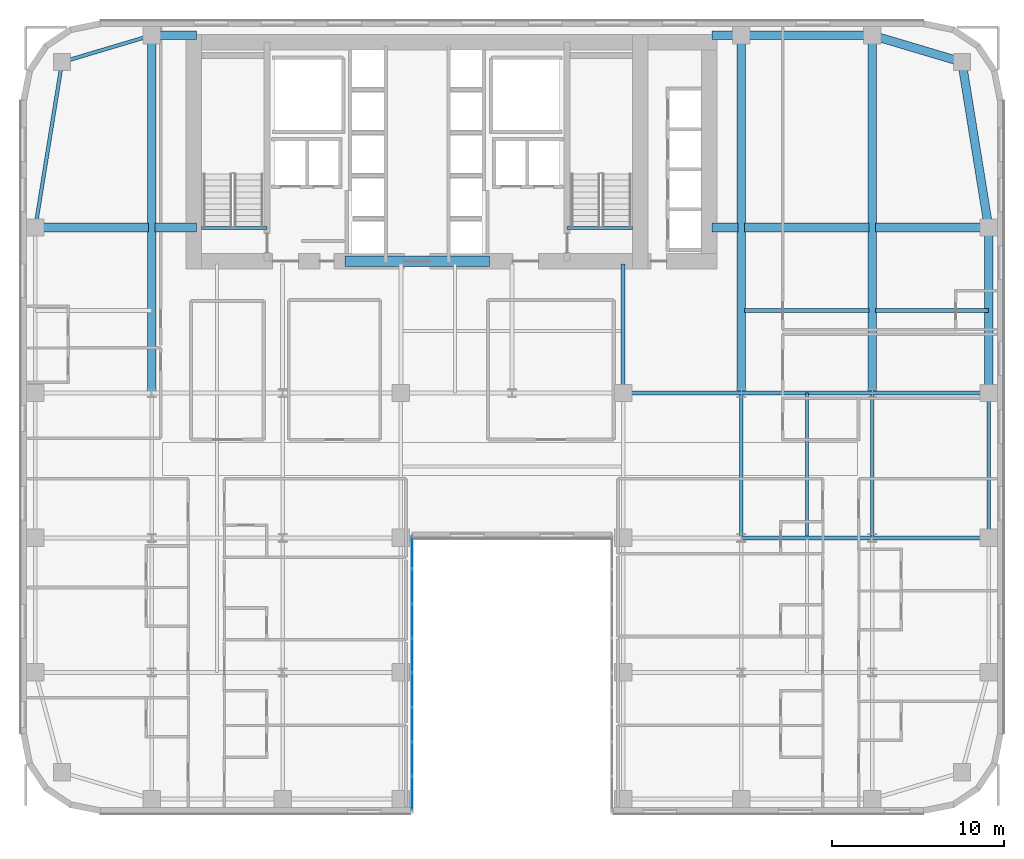
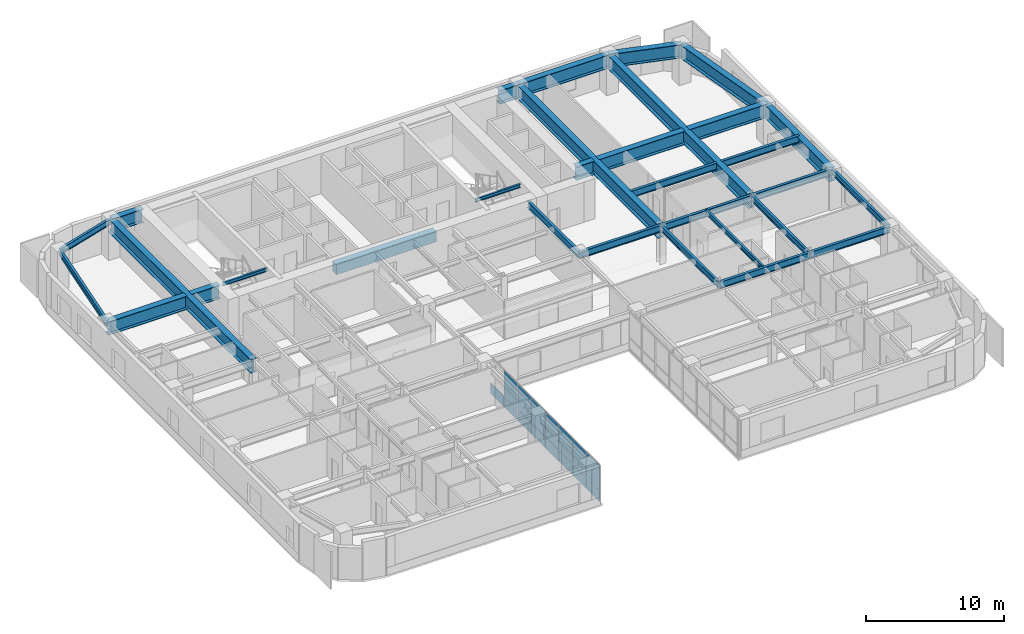
# One storey, part 12 of 25: 31 beams, 15 plates, 1 element without a shape of its own.
"""IFC4 building model written with IfcOpenShell, lengths in metres."""

from ifc_helpers import new_model, si_unit, direction, frame, origin, origin_2d, place, context, subcontext, project, spatial, rectangle, i_section, extrude, source, transform, mapped, material, layer, layer_set, material_profile, profile_set, type_object, type_shapes, element, aggregate, save


model = new_model("IFC4")

# Units and contexts
model_context = context("Model", 3, precision=1e-05, world=origin(), true_north=direction((0.0, 1.0)))
body_context = subcontext(model_context, "Body", "Model", "MODEL_VIEW")
ifc_project = project(units=[si_unit("LENGTHUNIT", "METRE"), si_unit("AREAUNIT", "SQUARE_METRE"), si_unit("VOLUMEUNIT", "CUBIC_METRE"), si_unit("PLANEANGLEUNIT", "RADIAN"), si_unit("MASSUNIT", "GRAM", prefix="KILO")], contexts=[model_context])

# Site, building, storey
site_placement = place(None, origin())
site = spatial("IfcSite", under=ifc_project, at=site_placement, CompositionType="ELEMENT")
building_placement = place(site_placement, origin())
building = spatial("IfcBuilding", under=site, at=building_placement, Name="Tolvann Quenvar Hotel", CompositionType="ELEMENT")
storey_placement = place(building_placement, frame((0.0, 0.0, 46.199951171875)))
storey = spatial("IfcBuildingStorey", under=building, at=storey_placement, Name="L10", CompositionType="ELEMENT", Elevation=46.199951171875)

# Beams
ifc_material_1 = material(Name="Concrete N50 (50 MPa)", Category="concrete")
ifc_material_profile_1 = material_profile(ifc_material_1, rectangle(XDim=0.60009765625, YDim=0.89990234375, at=origin_2d()), Name="RC600x900")
ifc_profile_set_1 = profile_set([ifc_material_profile_1], Name="Concrete N50 (50 MPa)")
beam_type_1 = type_object("IfcBeamType", Name="BM_LINT_RC600x900", PredefinedType="LINTEL", material=ifc_profile_set_1)
shared_shape_1 = source(origin(), body_context, "Body", "SweptSolid", [
    extrude(rectangle(XDim=0.60009765625, YDim=0.89990234375, at=origin_2d()), origin(), (0.0, 0.0, 1.0), 8.39990234375),
])
type_shapes(beam_type_1, [shared_shape_1])
beam_1_placement = place(storey_placement, frame((18.800048828125, 32.050048828125, 2.920166015625), z_axis=(1.0, 0.0, 0.0), x_axis=(0.0, 1.0, 0.0)))
element("IfcBeam", 1, at=beam_1_placement, inside=storey, type_object=beam_type_1, Name="Core Coupling Lintel Beam (L10)", PredefinedType="LINTEL", context=body_context, shape_type="MappedRepresentation", body=[
    mapped(shared_shape_1, transform((0.0, 0.0, 0.0), x_axis=(1.0, 0.0, 0.0), y_axis=(0.0, 1.0, 0.0), z_axis=(0.0, 0.0, 1.0), scale=1.0)),
])
ifc_material_2 = material(Name="Steel Grade 350", Category="steel")
ifc_material_profile_2 = material_profile(ifc_material_2, i_section(OverallWidth=0.5, OverallDepth=1.199951171875, WebThickness=0.01611328125, FlangeThickness=0.0400390625, at=origin_2d()), Name="1200WB455")
ifc_profile_set_2 = profile_set([ifc_material_profile_2], Name="Steel Grade 350")
beam_type_2 = type_object("IfcBeamType", Name="BM_TG_1200WB455", PredefinedType="USERDEFINED", material=ifc_profile_set_2)
shared_shape_2 = source(origin(), body_context, "Body", "SweptSolid", [
    extrude(i_section(OverallWidth=0.5, OverallDepth=1.199951171875, WebThickness=0.01611328125, FlangeThickness=0.0400390625, at=origin_2d()), origin(), (0.0, 0.0, 1.0), 7.599853515625),
])
beam_2_placement = place(storey_placement, frame((49.39990234375, 45.14990234375, 2.77001953125), z_axis=(-1.0, 0.0, 0.0), x_axis=(0.0, -1.0, 0.0)))
element("IfcBeam", 2, at=beam_2_placement, inside=storey, type_object=beam_type_2, Name="BM-L10-FLK-E4", ObjectType="TRANSFER GIRDER", PredefinedType="USERDEFINED", context=body_context, shape_type="MappedRepresentation", body=[
    mapped(shared_shape_2, transform((0.0, 0.0, 0.0), x_axis=(1.0, 0.0, 0.0), y_axis=(0.0, 1.0, 0.0), z_axis=(0.0, 0.0, 1.0), scale=1.0)),
])
shared_shape_3 = source(origin(), body_context, "Body", "SweptSolid", [
    extrude(i_section(OverallWidth=0.5, OverallDepth=1.199951171875, WebThickness=0.01611328125, FlangeThickness=0.0400390625, at=origin_2d()), origin(), (0.0, 0.0, 1.0), 9.60009765625),
])
beam_3_placement = place(storey_placement, frame((56.14990234375, 24.39990234375, 2.77001953125), z_axis=(0.0, 1.0, 0.0), x_axis=(-1.0, 0.0, 0.0)))
element("IfcBeam", 3, at=beam_3_placement, inside=storey, type_object=beam_type_2, Name="BM-L10-FLK-E1", ObjectType="TRANSFER GIRDER", PredefinedType="USERDEFINED", context=body_context, shape_type="MappedRepresentation", body=[
    mapped(shared_shape_3, transform((0.0, 0.0, 0.0), x_axis=(1.0, 0.0, 0.0), y_axis=(0.0, 1.0, 0.0), z_axis=(0.0, 0.0, 1.0), scale=1.0)),
])
ifc_material_profile_3 = material_profile(ifc_material_2, i_section(OverallWidth=0.208984375, OverallDepth=0.528076171875, WebThickness=0.009521484375, FlangeThickness=0.01318359375, FilletRadius=0.013916015625, at=origin_2d()), Name="530UB82")
ifc_profile_set_3 = profile_set([ifc_material_profile_3], Name="Steel Grade 350")
beam_type_3 = type_object("IfcBeamType", Name="BM_SPAND_530UB82", PredefinedType="SPANDREL", material=ifc_profile_set_3)
shared_shape_4 = source(origin(), body_context, "Body", "SweptSolid", [
    extrude(i_section(OverallWidth=0.208984375, OverallDepth=0.528076171875, WebThickness=0.009521484375, FlangeThickness=0.01318359375, FilletRadius=0.013916015625, at=origin_2d()), origin(), (0.0, 0.0, 1.0), 5.42626953125),
])
beam_4_placement = place(storey_placement, frame((2.39990234375, 43.60009765625, 3.10595703125), z_axis=(0.958344815522, 0.285613750654, 0.0), x_axis=(-0.285613750654, 0.958344815522, 0.0)))
element("IfcBeam", 4, at=beam_4_placement, inside=storey, type_object=beam_type_3, Name="BM-L10-FLK-W3", PredefinedType="SPANDREL", context=body_context, shape_type="MappedRepresentation", body=[
    mapped(shared_shape_4, transform((0.0, 0.0, 0.0), x_axis=(1.0, 0.0, 0.0), y_axis=(0.0, 1.0, 0.0), z_axis=(0.0, 0.0, 1.0), scale=1.0)),
])
ifc_material_profile_4 = material_profile(ifc_material_2, i_section(OverallWidth=0.22900390625, OverallDepth=0.612060546875, WebThickness=0.011962890625, FlangeThickness=0.01953125, FilletRadius=0.013916015625, at=origin_2d()), Name="610UB125")
ifc_profile_set_4 = profile_set([ifc_material_profile_4], Name="Steel Grade 350")
beam_type_4 = type_object("IfcBeamType", Name="BM_GIRD_610UB125", PredefinedType="BEAM", material=ifc_profile_set_4)
shared_shape_5 = source(origin(), body_context, "Body", "SweptSolid", [
    extrude(i_section(OverallWidth=0.22900390625, OverallDepth=0.612060546875, WebThickness=0.011962890625, FlangeThickness=0.01953125, FilletRadius=0.013916015625, at=origin_2d()), origin(), (0.0, 0.0, 1.0), 6.75),
])
for number, where, z_axis, x_axis, name in (
    (5, (49.39990234375, 16.0, 3.06396484375), (1.0, 0.0, 0.0), (0.0, 1.0, 0.0), "BM-L10-EW-4-I4-J4"),
    (6, (49.39990234375, 24.39990234375, 3.06396484375), (1.0, 0.0, 0.0), (0.0, 1.0, 0.0), "BM-L10-EW-5-I5-J5"),
):
    element("IfcBeam", number, at=place(storey_placement, frame(where, z_axis=z_axis, x_axis=x_axis)), inside=storey, type_object=beam_type_4, Name=name, PredefinedType="BEAM", context=body_context, shape_type="MappedRepresentation", body=[
        mapped(shared_shape_5, transform((0.0, 0.0, 0.0), x_axis=(1.0, 0.0, 0.0), y_axis=(0.0, 1.0, 0.0), z_axis=(0.0, 0.0, 1.0), scale=1.0)),
    ])
shared_shape_6 = source(origin(), body_context, "Body", "SweptSolid", [
    extrude(i_section(OverallWidth=0.22900390625, OverallDepth=0.612060546875, WebThickness=0.011962890625, FlangeThickness=0.01953125, FilletRadius=0.013916015625, at=origin_2d()), origin(), (0.0, 0.0, 1.0), 7.599853515625),
])
for number, where, z_axis, x_axis, name in (
    (7, (41.800048828125, 16.0, 3.06396484375), (1.0, 0.0, 0.0), (0.0, 1.0, 0.0), "BM-L10-EW-4-H4-I4"),
    (8, (41.800048828125, 24.39990234375, 3.06396484375), (1.0, 0.0, 0.0), (0.0, 1.0, 0.0), "BM-L10-EW-5-H5-I5"),
):
    element("IfcBeam", number, at=place(storey_placement, frame(where, z_axis=z_axis, x_axis=x_axis)), inside=storey, type_object=beam_type_4, Name=name, PredefinedType="BEAM", context=body_context, shape_type="MappedRepresentation", body=[
        mapped(shared_shape_6, transform((0.0, 0.0, 0.0), x_axis=(1.0, 0.0, 0.0), y_axis=(0.0, 1.0, 0.0), z_axis=(0.0, 0.0, 1.0), scale=1.0)),
    ])
shared_shape_7 = source(origin(), body_context, "Body", "SweptSolid", [
    extrude(i_section(OverallWidth=0.22900390625, OverallDepth=0.612060546875, WebThickness=0.011962890625, FlangeThickness=0.01953125, FilletRadius=0.013916015625, at=origin_2d()), origin(), (0.0, 0.0, 1.0), 6.85009765625),
])
beam_5_placement = place(storey_placement, frame((34.949951171875, 24.39990234375, 3.06396484375), z_axis=(1.0, 0.0, 0.0), x_axis=(0.0, 1.0, 0.0)))
element("IfcBeam", 9, at=beam_5_placement, inside=storey, type_object=beam_type_4, Name="BM-L10-EW-5-F5-H5", PredefinedType="BEAM", context=body_context, shape_type="MappedRepresentation", body=[
    mapped(shared_shape_7, transform((0.0, 0.0, 0.0), x_axis=(1.0, 0.0, 0.0), y_axis=(0.0, 1.0, 0.0), z_axis=(0.0, 0.0, 1.0), scale=1.0)),
])
shared_shape_8 = source(origin(), body_context, "Body", "SweptSolid", [
    extrude(i_section(OverallWidth=0.208984375, OverallDepth=0.528076171875, WebThickness=0.009521484375, FlangeThickness=0.01318359375, FilletRadius=0.013916015625, at=origin_2d()), origin(), (0.0, 0.0, 1.0), 8.39990234375),
])
beam_6_placement = place(storey_placement, frame((56.14990234375, 16.0, 3.10595703125), z_axis=(0.0, 1.0, 0.0), x_axis=(-1.0, 0.0, 0.0)))
element("IfcBeam", 10, at=beam_6_placement, inside=storey, type_object=beam_type_3, Name="BM-L10-NS-J4-J5", PredefinedType="SPANDREL", context=body_context, shape_type="MappedRepresentation", body=[
    mapped(shared_shape_8, transform((0.0, 0.0, 0.0), x_axis=(1.0, 0.0, 0.0), y_axis=(0.0, 1.0, 0.0), z_axis=(0.0, 0.0, 1.0), scale=1.0)),
])
ifc_material_profile_5 = material_profile(ifc_material_2, i_section(OverallWidth=0.208984375, OverallDepth=0.532958984375, WebThickness=0.01025390625, FlangeThickness=0.015625, FilletRadius=0.013916015625, at=origin_2d()), Name="530UB92")
ifc_profile_set_5 = profile_set([ifc_material_profile_5], Name="Steel Grade 350")
beam_type_5 = type_object("IfcBeamType", Name="BM_GIRD_530UB92", PredefinedType="BEAM", material=ifc_profile_set_5)
shared_shape_9 = source(origin(), body_context, "Body", "SweptSolid", [
    extrude(i_section(OverallWidth=0.208984375, OverallDepth=0.532958984375, WebThickness=0.01025390625, FlangeThickness=0.015625, FilletRadius=0.013916015625, at=origin_2d()), origin(), (0.0, 0.0, 1.0), 8.39990234375),
])
type_shapes(beam_type_5, [shared_shape_9])
for number, where, z_axis, x_axis, name in (
    (11, (41.800048828125, 16.0, 3.103515625), (0.0, 1.0, 0.0), (-1.0, 0.0, 0.0), "BM-L10-NS-H4-H5"),
    (12, (49.39990234375, 16.0, 3.103515625), (0.0, 1.0, 0.0), (-1.0, 0.0, 0.0), "BM-L10-NS-I4-I5"),
):
    element("IfcBeam", number, at=place(storey_placement, frame(where, z_axis=z_axis, x_axis=x_axis)), inside=storey, type_object=beam_type_5, Name=name, PredefinedType="BEAM", context=body_context, shape_type="MappedRepresentation", body=[
        mapped(shared_shape_9, transform((0.0, 0.0, 0.0), x_axis=(1.0, 0.0, 0.0), y_axis=(0.0, 1.0, 0.0), z_axis=(0.0, 0.0, 1.0), scale=1.0)),
    ])
shared_shape_10 = source(origin(), body_context, "Body", "SweptSolid", [
    extrude(i_section(OverallWidth=0.22900390625, OverallDepth=0.612060546875, WebThickness=0.011962890625, FlangeThickness=0.01953125, FilletRadius=0.013916015625, at=origin_2d()), origin(), (0.0, 0.0, 1.0), 7.5),
])
beam_7_placement = place(storey_placement, frame((34.949951171875, 24.39990234375, 3.06396484375), z_axis=(0.0, 1.0, 0.0), x_axis=(-1.0, 0.0, 0.0)))
element("IfcBeam", 13, at=beam_7_placement, inside=storey, type_object=beam_type_4, Name="BM-L10-CORE-F5", PredefinedType="BEAM", context=body_context, shape_type="MappedRepresentation", body=[
    mapped(shared_shape_10, transform((0.0, 0.0, 0.0), x_axis=(1.0, 0.0, 0.0), y_axis=(0.0, 1.0, 0.0), z_axis=(0.0, 0.0, 1.0), scale=1.0)),
])
shared_shape_11 = source(origin(), body_context, "Body", "SweptSolid", [
    extrude(i_section(OverallWidth=0.208984375, OverallDepth=0.528076171875, WebThickness=0.009521484375, FlangeThickness=0.01318359375, FilletRadius=0.013916015625, at=origin_2d()), origin(), (0.0, 0.0, 1.0), 9.724365234375),
])
type_shapes(beam_type_3, [shared_shape_4, shared_shape_8, shared_shape_11])
beam_8_placement = place(storey_placement, frame((0.85009765625, 34.0, 3.10595703125), z_axis=(0.159372939192, 0.987218449105, 0.0), x_axis=(-0.987218449105, 0.159372939192, 0.0)))
element("IfcBeam", 14, at=beam_8_placement, inside=storey, type_object=beam_type_3, Name="BM-L10-FLK-W2", PredefinedType="SPANDREL", context=body_context, shape_type="MappedRepresentation", body=[
    mapped(shared_shape_11, transform((0.0, 0.0, 0.0), x_axis=(1.0, 0.0, 0.0), y_axis=(0.0, 1.0, 0.0), z_axis=(0.0, 0.0, 1.0), scale=1.0)),
])
shared_shape_12 = source(origin(), body_context, "Body", "SweptSolid", [
    extrude(i_section(OverallWidth=0.5, OverallDepth=1.199951171875, WebThickness=0.01611328125, FlangeThickness=0.0400390625, at=origin_2d()), origin(), (0.0, 0.0, 1.0), 20.75),
])
for number, where, z_axis, x_axis, name in (
    (15, (7.60009765625, 24.39990234375, 2.77001953125), (0.0, 1.0, 0.0), (-1.0, 0.0, 0.0), "BM-L10-FLK-WC"),
    (16, (41.800048828125, 24.39990234375, 2.77001953125), (0.0, 1.0, 0.0), (-1.0, 0.0, 0.0), "BM-L10-FLK-EH"),
    (17, (49.39990234375, 24.39990234375, 2.77001953125), (0.0, 1.0, 0.0), (-1.0, 0.0, 0.0), "BM-L10-FLK-EI"),
):
    element("IfcBeam", number, at=place(storey_placement, frame(where, z_axis=z_axis, x_axis=x_axis)), inside=storey, type_object=beam_type_2, Name=name, ObjectType="TRANSFER GIRDER", PredefinedType="USERDEFINED", context=body_context, shape_type="MappedRepresentation", body=[
        mapped(shared_shape_12, transform((0.0, 0.0, 0.0), x_axis=(1.0, 0.0, 0.0), y_axis=(0.0, 1.0, 0.0), z_axis=(0.0, 0.0, 1.0), scale=1.0)),
    ])
shared_shape_13 = source(origin(), body_context, "Body", "SweptSolid", [
    extrude(i_section(OverallWidth=0.5, OverallDepth=1.199951171875, WebThickness=0.01611328125, FlangeThickness=0.0400390625, at=origin_2d()), origin(), (0.0, 0.0, 1.0), 6.56982421875),
])
for number, where, z_axis, x_axis, name in (
    (18, (0.85009765625, 34.0, 2.77001953125), (1.0, 0.0, 0.0), (0.0, 1.0, 0.0), "BM-L10-CTW-MID1"),
    (19, (49.580078125, 34.0, 2.77001953125), (1.0, 0.0, 0.0), (0.0, 1.0, 0.0), "BM-L10-CTE-JD6C"),
):
    element("IfcBeam", number, at=place(storey_placement, frame(where, z_axis=z_axis, x_axis=x_axis)), inside=storey, type_object=beam_type_2, Name=name, ObjectType="TRANSFER GIRDER", PredefinedType="USERDEFINED", context=body_context, shape_type="MappedRepresentation", body=[
        mapped(shared_shape_13, transform((0.0, 0.0, 0.0), x_axis=(1.0, 0.0, 0.0), y_axis=(0.0, 1.0, 0.0), z_axis=(0.0, 0.0, 1.0), scale=1.0)),
    ])
shared_shape_14 = source(origin(), body_context, "Body", "SweptSolid", [
    extrude(i_section(OverallWidth=0.5, OverallDepth=1.199951171875, WebThickness=0.01611328125, FlangeThickness=0.0400390625, at=origin_2d()), origin(), (0.0, 0.0, 1.0), 2.419921875),
])
beam_9_placement = place(storey_placement, frame((7.780029296875, 34.0, 2.77001953125), z_axis=(1.0, 0.0, 0.0), x_axis=(0.0, 1.0, 0.0)))
element("IfcBeam", 20, at=beam_9_placement, inside=storey, type_object=beam_type_2, Name="BM-L10-CTW-MID2", ObjectType="TRANSFER GIRDER", PredefinedType="USERDEFINED", context=body_context, shape_type="MappedRepresentation", body=[
    mapped(shared_shape_14, transform((0.0, 0.0, 0.0), x_axis=(1.0, 0.0, 0.0), y_axis=(0.0, 1.0, 0.0), z_axis=(0.0, 0.0, 1.0), scale=1.0)),
])
shared_shape_15 = source(origin(), body_context, "Body", "SweptSolid", [
    extrude(i_section(OverallWidth=0.5, OverallDepth=1.199951171875, WebThickness=0.01611328125, FlangeThickness=0.0400390625, at=origin_2d()), origin(), (0.0, 0.0, 1.0), 2.599853515625),
])
beam_10_placement = place(storey_placement, frame((7.60009765625, 45.14990234375, 2.77001953125), z_axis=(1.0, 0.0, 0.0), x_axis=(0.0, 1.0, 0.0)))
element("IfcBeam", 21, at=beam_10_placement, inside=storey, type_object=beam_type_2, Name="BM-L10-CTW-CN", ObjectType="TRANSFER GIRDER", PredefinedType="USERDEFINED", context=body_context, shape_type="MappedRepresentation", body=[
    mapped(shared_shape_15, transform((0.0, 0.0, 0.0), x_axis=(1.0, 0.0, 0.0), y_axis=(0.0, 1.0, 0.0), z_axis=(0.0, 0.0, 1.0), scale=1.0)),
])
shared_shape_16 = source(origin(), body_context, "Body", "SweptSolid", [
    extrude(i_section(OverallWidth=0.5, OverallDepth=1.199951171875, WebThickness=0.01611328125, FlangeThickness=0.0400390625, at=origin_2d()), origin(), (0.0, 0.0, 1.0), 9.724365234375),
])
beam_11_placement = place(storey_placement, frame((56.14990234375, 34.0, 2.77001953125), z_axis=(-0.159372939192, 0.987218449105, 0.0), x_axis=(-0.987218449105, -0.159372939192, 0.0)))
element("IfcBeam", 22, at=beam_11_placement, inside=storey, type_object=beam_type_2, Name="BM-L10-FLK-E2", ObjectType="TRANSFER GIRDER", PredefinedType="USERDEFINED", context=body_context, shape_type="MappedRepresentation", body=[
    mapped(shared_shape_16, transform((0.0, 0.0, 0.0), x_axis=(1.0, 0.0, 0.0), y_axis=(0.0, 1.0, 0.0), z_axis=(0.0, 0.0, 1.0), scale=1.0)),
])
shared_shape_17 = source(origin(), body_context, "Body", "SweptSolid", [
    extrude(i_section(OverallWidth=0.5, OverallDepth=1.199951171875, WebThickness=0.01611328125, FlangeThickness=0.0400390625, at=origin_2d()), origin(), (0.0, 0.0, 1.0), 5.42626953125),
])
beam_12_placement = place(storey_placement, frame((54.60009765625, 43.60009765625, 2.77001953125), z_axis=(-0.958344815522, 0.285613750654, 0.0), x_axis=(-0.285613750654, -0.958344815522, 0.0)))
element("IfcBeam", 23, at=beam_12_placement, inside=storey, type_object=beam_type_2, Name="BM-L10-FLK-E3", ObjectType="TRANSFER GIRDER", PredefinedType="USERDEFINED", context=body_context, shape_type="MappedRepresentation", body=[
    mapped(shared_shape_17, transform((0.0, 0.0, 0.0), x_axis=(1.0, 0.0, 0.0), y_axis=(0.0, 1.0, 0.0), z_axis=(0.0, 0.0, 1.0), scale=1.0)),
])
shared_shape_18 = source(origin(), body_context, "Body", "SweptSolid", [
    extrude(i_section(OverallWidth=0.5, OverallDepth=1.199951171875, WebThickness=0.01611328125, FlangeThickness=0.0400390625, at=origin_2d()), origin(), (0.0, 0.0, 1.0), 1.699951171875),
])
beam_13_placement = place(storey_placement, frame((40.10009765625, 45.14990234375, 2.77001953125), z_axis=(1.0, 0.0, 0.0), x_axis=(0.0, 1.0, 0.0)))
element("IfcBeam", 24, at=beam_13_placement, inside=storey, type_object=beam_type_2, Name="BM-L10-CTE-HN", ObjectType="TRANSFER GIRDER", PredefinedType="USERDEFINED", context=body_context, shape_type="MappedRepresentation", body=[
    mapped(shared_shape_18, transform((0.0, 0.0, 0.0), x_axis=(1.0, 0.0, 0.0), y_axis=(0.0, 1.0, 0.0), z_axis=(0.0, 0.0, 1.0), scale=1.0)),
])
shared_shape_19 = source(origin(), body_context, "Body", "SweptSolid", [
    extrude(i_section(OverallWidth=0.5, OverallDepth=1.199951171875, WebThickness=0.01611328125, FlangeThickness=0.0400390625, at=origin_2d()), origin(), (0.0, 0.0, 1.0), 1.52001953125),
])
beam_14_placement = place(storey_placement, frame((40.10009765625, 34.0, 2.77001953125), z_axis=(1.0, 0.0, 0.0), x_axis=(0.0, 1.0, 0.0)))
element("IfcBeam", 25, at=beam_14_placement, inside=storey, type_object=beam_type_2, Name="BM-L10-CTE-JD6A", ObjectType="TRANSFER GIRDER", PredefinedType="USERDEFINED", context=body_context, shape_type="MappedRepresentation", body=[
    mapped(shared_shape_19, transform((0.0, 0.0, 0.0), x_axis=(1.0, 0.0, 0.0), y_axis=(0.0, 1.0, 0.0), z_axis=(0.0, 0.0, 1.0), scale=1.0)),
])
shared_shape_20 = source(origin(), body_context, "Body", "SweptSolid", [
    extrude(i_section(OverallWidth=0.5, OverallDepth=1.199951171875, WebThickness=0.01611328125, FlangeThickness=0.0400390625, at=origin_2d()), origin(), (0.0, 0.0, 1.0), 7.239990234375),
])
type_shapes(beam_type_2, [shared_shape_2, shared_shape_3, shared_shape_12, shared_shape_13, shared_shape_14, shared_shape_15, shared_shape_16, shared_shape_17, shared_shape_18, shared_shape_19, shared_shape_20])
beam_15_placement = place(storey_placement, frame((41.97998046875, 34.0, 2.77001953125), z_axis=(1.0, 0.0, 0.0), x_axis=(0.0, 1.0, 0.0)))
element("IfcBeam", 26, at=beam_15_placement, inside=storey, type_object=beam_type_2, Name="BM-L10-CTE-JD6B", ObjectType="TRANSFER GIRDER", PredefinedType="USERDEFINED", context=body_context, shape_type="MappedRepresentation", body=[
    mapped(shared_shape_20, transform((0.0, 0.0, 0.0), x_axis=(1.0, 0.0, 0.0), y_axis=(0.0, 1.0, 0.0), z_axis=(0.0, 0.0, 1.0), scale=1.0)),
])
shared_shape_21 = source(origin(), body_context, "Body", "SweptSolid", [
    extrude(i_section(OverallWidth=0.22900390625, OverallDepth=0.612060546875, WebThickness=0.011962890625, FlangeThickness=0.01953125, FilletRadius=0.013916015625, at=origin_2d()), origin(), (0.0, 0.0, 1.0), 7.239990234375),
])
beam_16_placement = place(storey_placement, frame((41.97998046875, 29.199951171875, 3.06396484375), z_axis=(1.0, 0.0, 0.0), x_axis=(0.0, 1.0, 0.0)))
element("IfcBeam", 27, at=beam_16_placement, inside=storey, type_object=beam_type_4, Name="BM-L10-EW-HI29", PredefinedType="BEAM", context=body_context, shape_type="MappedRepresentation", body=[
    mapped(shared_shape_21, transform((0.0, 0.0, 0.0), x_axis=(1.0, 0.0, 0.0), y_axis=(0.0, 1.0, 0.0), z_axis=(0.0, 0.0, 1.0), scale=1.0)),
])
shared_shape_22 = source(origin(), body_context, "Body", "SweptSolid", [
    extrude(i_section(OverallWidth=0.22900390625, OverallDepth=0.612060546875, WebThickness=0.011962890625, FlangeThickness=0.01953125, FilletRadius=0.013916015625, at=origin_2d()), origin(), (0.0, 0.0, 1.0), 6.56982421875),
])
type_shapes(beam_type_4, [shared_shape_5, shared_shape_6, shared_shape_7, shared_shape_10, shared_shape_21, shared_shape_22])
beam_17_placement = place(storey_placement, frame((49.580078125, 29.199951171875, 3.06396484375), z_axis=(1.0, 0.0, 0.0), x_axis=(0.0, 1.0, 0.0)))
element("IfcBeam", 28, at=beam_17_placement, inside=storey, type_object=beam_type_4, Name="BM-L10-EW-IJ29", PredefinedType="BEAM", context=body_context, shape_type="MappedRepresentation", body=[
    mapped(shared_shape_22, transform((0.0, 0.0, 0.0), x_axis=(1.0, 0.0, 0.0), y_axis=(0.0, 1.0, 0.0), z_axis=(0.0, 0.0, 1.0), scale=1.0)),
])
ifc_material_profile_6 = material_profile(ifc_material_2, i_section(OverallWidth=0.177978515625, OverallDepth=0.406005859375, WebThickness=0.0078125, FlangeThickness=0.0126953125, FilletRadius=0.011474609375, at=origin_2d()), Name="410UB60")
ifc_profile_set_6 = profile_set([ifc_material_profile_6], Name="Steel Grade 350")
beam_type_6 = type_object("IfcBeamType", Name="BM_JOIST_410UB60", PredefinedType="JOIST", material=ifc_profile_set_6)
shared_shape_23 = source(origin(), body_context, "Body", "SweptSolid", [
    extrude(i_section(OverallWidth=0.177978515625, OverallDepth=0.406005859375, WebThickness=0.0078125, FlangeThickness=0.0126953125, FilletRadius=0.011474609375, at=origin_2d()), origin(), (0.0, 0.0, 1.0), 8.29150390625),
])
type_shapes(beam_type_6, [shared_shape_23])
beam_18_placement = place(storey_placement, frame((45.60009765625, 16.1083984375, 3.1669921875), z_axis=(0.0, 1.0, 0.0), x_axis=(-1.0, 0.0, 0.0)))
element("IfcBeam", 29, at=beam_18_placement, inside=storey, type_object=beam_type_6, Name="BJ-L10-456-160", PredefinedType="JOIST", context=body_context, shape_type="MappedRepresentation", body=[
    mapped(shared_shape_23, transform((0.0, 0.0, 0.0), x_axis=(1.0, 0.0, 0.0), y_axis=(0.0, 1.0, 0.0), z_axis=(0.0, 0.0, 1.0), scale=1.0)),
])
ifc_material_profile_7 = material_profile(ifc_material_2, i_section(OverallWidth=0.166015625, OverallDepth=0.306884765625, WebThickness=0.006591796875, FlangeThickness=0.01171875, FilletRadius=0.011474609375, at=origin_2d()), Name="310UB46")
ifc_profile_set_7 = profile_set([ifc_material_profile_7], Name="Steel Grade 350")
beam_type_7 = type_object("IfcBeamType", Name="BM_JOIST_310UB46", PredefinedType="JOIST", material=ifc_profile_set_7)
shared_shape_24 = source(origin(), body_context, "Body", "SweptSolid", [
    extrude(i_section(OverallWidth=0.166015625, OverallDepth=0.306884765625, WebThickness=0.006591796875, FlangeThickness=0.01171875, FilletRadius=0.011474609375, at=origin_2d()), origin(), (0.0, 0.0, 1.0), 3.800048828125),
])
type_shapes(beam_type_7, [shared_shape_24])
for number, where, z_axis, x_axis, name in (
    (30, (10.5, 33.97998046875, 3.216552734375), (1.0, 0.0, 0.0), (0.0, 1.0, 0.0), "BM-HDR-STC1-L11"),
    (31, (31.699951171875, 33.97998046875, 3.216552734375), (1.0, 0.0, 0.0), (0.0, 1.0, 0.0), "BM-HDR-STC2-L11"),
):
    element("IfcBeam", number, at=place(storey_placement, frame(where, z_axis=z_axis, x_axis=x_axis)), inside=storey, type_object=beam_type_7, Name=name, PredefinedType="JOIST", context=body_context, shape_type="MappedRepresentation", body=[
        mapped(shared_shape_24, transform((0.0, 0.0, 0.0), x_axis=(1.0, 0.0, 0.0), y_axis=(0.0, 1.0, 0.0), z_axis=(0.0, 0.0, 1.0), scale=1.0)),
    ])

# Curtain wall, plates
ifc_material_3 = material(Name="Thermally broken anodised architectural aluminium 6063-T6 and laminated low-E glass", Category="aluminium")
ifc_layer_1 = layer(ifc_material_3, 0.179931640625)
ifc_layer_set_1 = layer_set([ifc_layer_1], Name="Thermally broken anodised architectural aluminium 6063-T6 and laminated low-E glass")
curtain_wall_type = type_object("IfcCurtainWallType", Name="CW_SYS_SLOT_03", PredefinedType="USERDEFINED", material=ifc_layer_set_1)
curtain_wall_placement = place(storey_placement, origin())
curtain_wall = element("IfcCurtainWall", 32, at=curtain_wall_placement, inside=storey, type_object=curtain_wall_type, Name="Curtain Wall CW-SLOT-03 (CWR-L10-E05)", ObjectType="UNITISED CURTAIN WALL", PredefinedType="USERDEFINED")
ifc_material_4 = material(Name="Low-iron laminated double glazing with solar-control coating", Category="glass")
ifc_layer_2 = layer(ifc_material_4, 0.028076171875)
ifc_layer_set_2 = layer_set([ifc_layer_2], Name="Low-iron laminated double glazing with solar-control coating")
plate_type = type_object("IfcPlateType", Name="CW_PAN_VISION_28", PredefinedType="CURTAIN_PANEL", material=ifc_layer_set_2)
shared_shape_25 = source(origin(), body_context, "Body", "SweptSolid", [
    extrude(rectangle(XDim=1.89501953125, YDim=0.028076171875, at=origin_2d()), origin(), (0.0, 0.0, 1.0), 0.9599609375),
])
plate_1_placement = place(storey_placement, frame((22.7099609375, 1.1923828125, 0.06005859375), z_axis=(0.0, 0.0, 1.0), x_axis=(0.0, 1.0, 0.0)))
plate_1 = element("IfcPlate", 33, at=plate_1_placement, type_object=plate_type, Name="CW-SLOT-03 panel 1.1", PredefinedType="CURTAIN_PANEL", context=body_context, shape_type="MappedRepresentation", body=[
    mapped(shared_shape_25, transform((0.0, 0.0, 0.0), x_axis=(1.0, 0.0, 0.0), y_axis=(0.0, 1.0, 0.0), z_axis=(0.0, 0.0, 1.0), scale=1.0)),
])
plate_2_placement = place(storey_placement, frame((22.7099609375, 15.157470703125, 0.06005859375), z_axis=(0.0, 0.0, 1.0), x_axis=(0.0, 1.0, 0.0)))
plate_2 = element("IfcPlate", 34, at=plate_2_placement, type_object=plate_type, Name="CW-SLOT-03 panel 8.1", PredefinedType="CURTAIN_PANEL", context=body_context, shape_type="MappedRepresentation", body=[
    mapped(shared_shape_25, transform((0.0, 0.0, 0.0), x_axis=(1.0, 0.0, 0.0), y_axis=(0.0, 1.0, 0.0), z_axis=(0.0, 0.0, 1.0), scale=1.0)),
])
shared_shape_26 = source(origin(), body_context, "Body", "SweptSolid", [
    extrude(rectangle(XDim=1.89501953125, YDim=0.028076171875, at=origin_2d()), origin(), (0.0, 0.0, 1.0), 2.22998046875),
])
plate_3_placement = place(storey_placement, frame((22.7099609375, 1.1923828125, 1.080078125), z_axis=(0.0, 0.0, 1.0), x_axis=(0.0, 1.0, 0.0)))
plate_3 = element("IfcPlate", 35, at=plate_3_placement, type_object=plate_type, Name="CW-SLOT-03 panel 1.2", PredefinedType="CURTAIN_PANEL", context=body_context, shape_type="MappedRepresentation", body=[
    mapped(shared_shape_26, transform((0.0, 0.0, 0.0), x_axis=(1.0, 0.0, 0.0), y_axis=(0.0, 1.0, 0.0), z_axis=(0.0, 0.0, 1.0), scale=1.0)),
])
shared_shape_27 = source(origin(), body_context, "Body", "SweptSolid", [
    extrude(rectangle(XDim=1.929931640625, YDim=0.028076171875, at=origin_2d()), origin(), (0.0, 0.0, 1.0), 0.9599609375),
])
plate_4_placement = place(storey_placement, frame((22.7099609375, 3.175048828125, 0.06005859375), z_axis=(0.0, 0.0, 1.0), x_axis=(0.0, 1.0, 0.0)))
plate_4 = element("IfcPlate", 36, at=plate_4_placement, type_object=plate_type, Name="CW-SLOT-03 panel 2.1", PredefinedType="CURTAIN_PANEL", context=body_context, shape_type="MappedRepresentation", body=[
    mapped(shared_shape_27, transform((0.0, 0.0, 0.0), x_axis=(1.0, 0.0, 0.0), y_axis=(0.0, 1.0, 0.0), z_axis=(0.0, 0.0, 1.0), scale=1.0)),
])
plate_5_placement = place(storey_placement, frame((22.7099609375, 5.175048828125, 0.06005859375), z_axis=(0.0, 0.0, 1.0), x_axis=(0.0, 1.0, 0.0)))
plate_5 = element("IfcPlate", 37, at=plate_5_placement, type_object=plate_type, Name="CW-SLOT-03 panel 3.1", PredefinedType="CURTAIN_PANEL", context=body_context, shape_type="MappedRepresentation", body=[
    mapped(shared_shape_27, transform((0.0, 0.0, 0.0), x_axis=(1.0, 0.0, 0.0), y_axis=(0.0, 1.0, 0.0), z_axis=(0.0, 0.0, 1.0), scale=1.0)),
])
plate_6_placement = place(storey_placement, frame((22.7099609375, 7.175048828125, 0.06005859375), z_axis=(0.0, 0.0, 1.0), x_axis=(0.0, 1.0, 0.0)))
plate_6 = element("IfcPlate", 38, at=plate_6_placement, type_object=plate_type, Name="CW-SLOT-03 panel 4.1", PredefinedType="CURTAIN_PANEL", context=body_context, shape_type="MappedRepresentation", body=[
    mapped(shared_shape_27, transform((0.0, 0.0, 0.0), x_axis=(1.0, 0.0, 0.0), y_axis=(0.0, 1.0, 0.0), z_axis=(0.0, 0.0, 1.0), scale=1.0)),
])
plate_7_placement = place(storey_placement, frame((22.7099609375, 9.175048828125, 0.06005859375), z_axis=(0.0, 0.0, 1.0), x_axis=(0.0, 1.0, 0.0)))
plate_7 = element("IfcPlate", 39, at=plate_7_placement, type_object=plate_type, Name="CW-SLOT-03 panel 5.1", PredefinedType="CURTAIN_PANEL", context=body_context, shape_type="MappedRepresentation", body=[
    mapped(shared_shape_27, transform((0.0, 0.0, 0.0), x_axis=(1.0, 0.0, 0.0), y_axis=(0.0, 1.0, 0.0), z_axis=(0.0, 0.0, 1.0), scale=1.0)),
])
plate_8_placement = place(storey_placement, frame((22.7099609375, 11.175048828125, 0.06005859375), z_axis=(0.0, 0.0, 1.0), x_axis=(0.0, 1.0, 0.0)))
plate_8 = element("IfcPlate", 40, at=plate_8_placement, type_object=plate_type, Name="CW-SLOT-03 panel 6.1", PredefinedType="CURTAIN_PANEL", context=body_context, shape_type="MappedRepresentation", body=[
    mapped(shared_shape_27, transform((0.0, 0.0, 0.0), x_axis=(1.0, 0.0, 0.0), y_axis=(0.0, 1.0, 0.0), z_axis=(0.0, 0.0, 1.0), scale=1.0)),
])
plate_9_placement = place(storey_placement, frame((22.7099609375, 13.175048828125, 0.06005859375), z_axis=(0.0, 0.0, 1.0), x_axis=(0.0, 1.0, 0.0)))
plate_9 = element("IfcPlate", 41, at=plate_9_placement, type_object=plate_type, Name="CW-SLOT-03 panel 7.1", PredefinedType="CURTAIN_PANEL", context=body_context, shape_type="MappedRepresentation", body=[
    mapped(shared_shape_27, transform((0.0, 0.0, 0.0), x_axis=(1.0, 0.0, 0.0), y_axis=(0.0, 1.0, 0.0), z_axis=(0.0, 0.0, 1.0), scale=1.0)),
])
shared_shape_28 = source(origin(), body_context, "Body", "SweptSolid", [
    extrude(rectangle(XDim=1.929931640625, YDim=0.028076171875, at=origin_2d()), origin(), (0.0, 0.0, 1.0), 2.22998046875),
])
type_shapes(plate_type, [shared_shape_25, shared_shape_26, shared_shape_27, shared_shape_28])
plate_10_placement = place(storey_placement, frame((22.7099609375, 3.175048828125, 1.080078125), z_axis=(0.0, 0.0, 1.0), x_axis=(0.0, 1.0, 0.0)))
plate_10 = element("IfcPlate", 42, at=plate_10_placement, type_object=plate_type, Name="CW-SLOT-03 panel 2.2", PredefinedType="CURTAIN_PANEL", context=body_context, shape_type="MappedRepresentation", body=[
    mapped(shared_shape_28, transform((0.0, 0.0, 0.0), x_axis=(1.0, 0.0, 0.0), y_axis=(0.0, 1.0, 0.0), z_axis=(0.0, 0.0, 1.0), scale=1.0)),
])
plate_11_placement = place(storey_placement, frame((22.7099609375, 5.175048828125, 1.080078125), z_axis=(0.0, 0.0, 1.0), x_axis=(0.0, 1.0, 0.0)))
plate_11 = element("IfcPlate", 43, at=plate_11_placement, type_object=plate_type, Name="CW-SLOT-03 panel 3.2", PredefinedType="CURTAIN_PANEL", context=body_context, shape_type="MappedRepresentation", body=[
    mapped(shared_shape_28, transform((0.0, 0.0, 0.0), x_axis=(1.0, 0.0, 0.0), y_axis=(0.0, 1.0, 0.0), z_axis=(0.0, 0.0, 1.0), scale=1.0)),
])
plate_12_placement = place(storey_placement, frame((22.7099609375, 7.175048828125, 1.080078125), z_axis=(0.0, 0.0, 1.0), x_axis=(0.0, 1.0, 0.0)))
plate_12 = element("IfcPlate", 44, at=plate_12_placement, type_object=plate_type, Name="CW-SLOT-03 panel 4.2", PredefinedType="CURTAIN_PANEL", context=body_context, shape_type="MappedRepresentation", body=[
    mapped(shared_shape_28, transform((0.0, 0.0, 0.0), x_axis=(1.0, 0.0, 0.0), y_axis=(0.0, 1.0, 0.0), z_axis=(0.0, 0.0, 1.0), scale=1.0)),
])
plate_13_placement = place(storey_placement, frame((22.7099609375, 9.175048828125, 1.080078125), z_axis=(0.0, 0.0, 1.0), x_axis=(0.0, 1.0, 0.0)))
plate_13 = element("IfcPlate", 45, at=plate_13_placement, type_object=plate_type, Name="CW-SLOT-03 panel 5.2", PredefinedType="CURTAIN_PANEL", context=body_context, shape_type="MappedRepresentation", body=[
    mapped(shared_shape_28, transform((0.0, 0.0, 0.0), x_axis=(1.0, 0.0, 0.0), y_axis=(0.0, 1.0, 0.0), z_axis=(0.0, 0.0, 1.0), scale=1.0)),
])
plate_14_placement = place(storey_placement, frame((22.7099609375, 11.175048828125, 1.080078125), z_axis=(0.0, 0.0, 1.0), x_axis=(0.0, 1.0, 0.0)))
plate_14 = element("IfcPlate", 46, at=plate_14_placement, type_object=plate_type, Name="CW-SLOT-03 panel 6.2", PredefinedType="CURTAIN_PANEL", context=body_context, shape_type="MappedRepresentation", body=[
    mapped(shared_shape_28, transform((0.0, 0.0, 0.0), x_axis=(1.0, 0.0, 0.0), y_axis=(0.0, 1.0, 0.0), z_axis=(0.0, 0.0, 1.0), scale=1.0)),
])
plate_15_placement = place(storey_placement, frame((22.7099609375, 13.175048828125, 1.080078125), z_axis=(0.0, 0.0, 1.0), x_axis=(0.0, 1.0, 0.0)))
plate_15 = element("IfcPlate", 47, at=plate_15_placement, type_object=plate_type, Name="CW-SLOT-03 panel 7.2", PredefinedType="CURTAIN_PANEL", context=body_context, shape_type="MappedRepresentation", body=[
    mapped(shared_shape_28, transform((0.0, 0.0, 0.0), x_axis=(1.0, 0.0, 0.0), y_axis=(0.0, 1.0, 0.0), z_axis=(0.0, 0.0, 1.0), scale=1.0)),
])
aggregate(curtain_wall, [plate_1, plate_3, plate_4, plate_10, plate_5, plate_11, plate_6, plate_12, plate_7, plate_13, plate_8, plate_14, plate_9, plate_15, plate_2])

save(model, "model.ifc")
